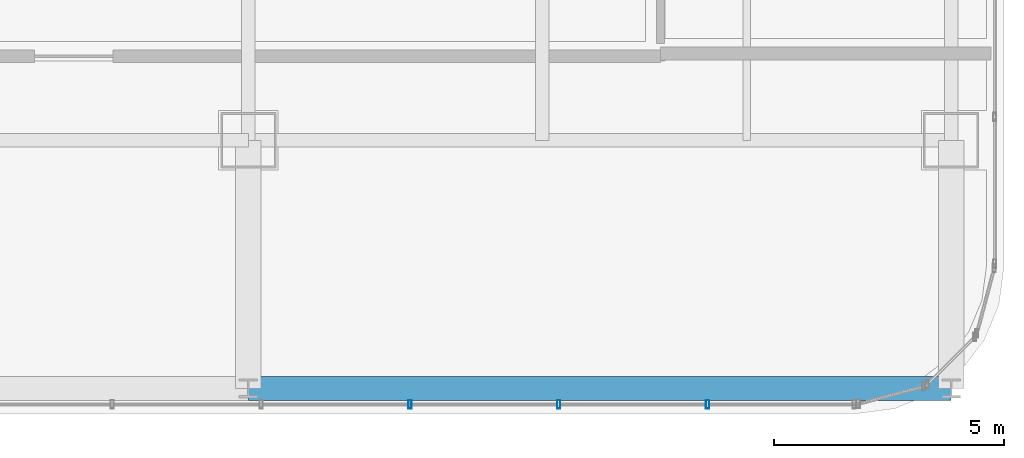
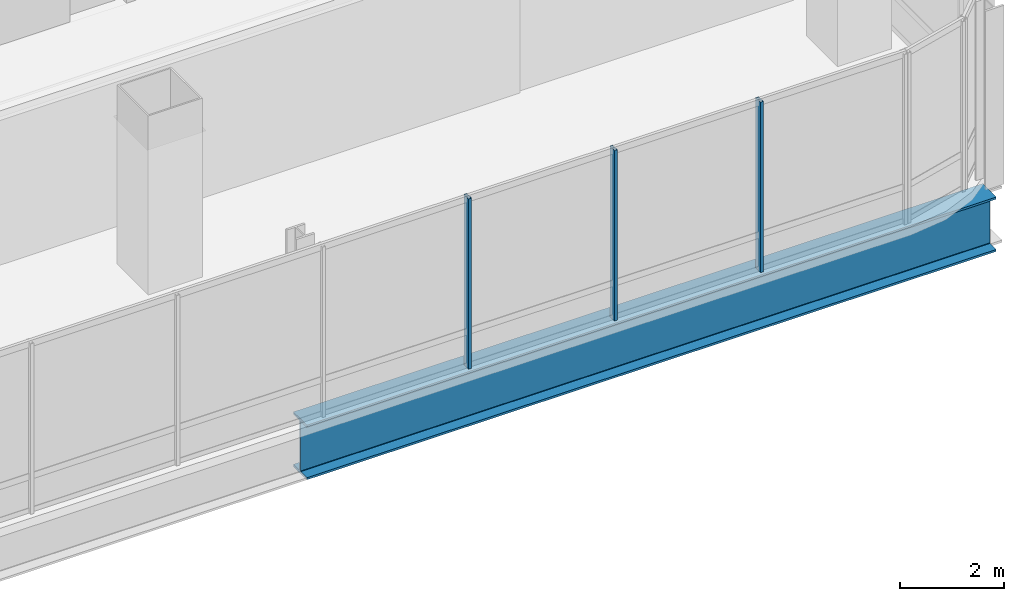
# One storey, part 16 of 42: 3 members, 1 beam, 1 element without a shape of its own.
"""IFC4 building model written with IfcOpenShell, lengths in metres."""

from ifc_helpers import new_model, si_unit, direction, frame, origin, origin_2d, place, context, subcontext, project, spatial, hollow_rectangle, i_section, extrude, material, material_profile, profile_set, type_object, element, aggregate, save


model = new_model("IFC4")

# Units and contexts
model_context = context("Model", 3, precision=1e-05, world=origin(), true_north=direction((0.0, 1.0)))
body_context = subcontext(model_context, "Body", "Model", "MODEL_VIEW")
ifc_project = project(units=[si_unit("LENGTHUNIT", "METRE"), si_unit("AREAUNIT", "SQUARE_METRE"), si_unit("VOLUMEUNIT", "CUBIC_METRE"), si_unit("PLANEANGLEUNIT", "RADIAN"), si_unit("MASSUNIT", "GRAM", prefix="KILO")], contexts=[model_context])

# Site, building, storey
site_placement = place(None, origin())
site = spatial("IfcSite", under=ifc_project, at=site_placement, CompositionType="ELEMENT")
building_placement = place(site_placement, origin())
building = spatial("IfcBuilding", under=site, at=building_placement, Name="Punatoya Terracotta Tower", CompositionType="ELEMENT")
storey_placement = place(building_placement, frame((0.0, 0.0, 325.800048828125)))
storey = spatial("IfcBuildingStorey", under=building, at=storey_placement, Name="L77", CompositionType="ELEMENT", Elevation=325.800048828125)

# Beam
ifc_material_1 = material(Name="Steel S460", Category="steel")
ifc_material_profile_1 = material_profile(ifc_material_1, i_section(OverallWidth=0.52001953125, OverallDepth=1.280029296875, WebThickness=0.031982421875, FlangeThickness=0.050048828125, FilletRadius=0.01806640625, at=origin_2d()))
ifc_profile_set_1 = profile_set([ifc_material_profile_1], Name="Steel S460")
beam_type = type_object("IfcBeamType", Name="BM-TG-NCK", PredefinedType="BEAM", material=ifc_profile_set_1)
beam_placement = place(storey_placement, frame((3.800048828125, -22.89990234375, -0.840087890625), z_axis=(1.0, 0.0, 0.0), x_axis=(0.0, 1.0, 0.0)))
element("IfcBeam", 1, at=beam_placement, inside=storey, type_object=beam_type, Name="BM-L77-PER-S3", PredefinedType="BEAM", context=body_context, shape_type="SweptSolid", body=[
    extrude(i_section(OverallWidth=0.52001953125, OverallDepth=1.280029296875, WebThickness=0.031982421875, FlangeThickness=0.050048828125, FilletRadius=0.01806640625, at=origin_2d()), origin(), (0.0, 0.0, 1.0), 15.300048828125),
])

# Curtain wall, members
ifc_material_2 = material(Name="Aluminium 6063-T6 + Double Low-E Glass", Category="aluminium")
curtain_wall_type = type_object("IfcCurtainWallType", Name="CW-OBS", PredefinedType="NOTDEFINED", material=ifc_material_2)
curtain_wall_placement = place(storey_placement, origin())
curtain_wall = element("IfcCurtainWall", 2, at=curtain_wall_placement, inside=storey, type_object=curtain_wall_type, Name="L77 Curtain Wall CW-L77-S01-1", PredefinedType="NOTDEFINED")
ifc_material_3 = material(Name="Aluminium 6063-T6", Category="aluminium")
ifc_material_profile_2 = material_profile(ifc_material_3, hollow_rectangle(XDim=0.070068359375, YDim=0.179931640625, WallThickness=0.00390625, at=origin_2d()))
ifc_profile_set_2 = profile_set([ifc_material_profile_2], Name="Aluminium 6063-T6")
member_type = type_object("IfcMemberType", Name="CW-MUL-M3", PredefinedType="MULLION", material=ifc_profile_set_2)
member_1_placement = place(storey_placement, frame((7.318359375, -23.25, 0.0), z_axis=(0.0, 0.0, 1.0), x_axis=(1.0, 0.0, 0.0)))
member_1 = element("IfcMember", 3, at=member_1_placement, type_object=member_type, Name="CW-L77-S01-1 Mullion 09", PredefinedType="MULLION", context=body_context, shape_type="SweptSolid", body=[
    extrude(hollow_rectangle(XDim=0.070068359375, YDim=0.179931640625, WallThickness=0.00390625, at=origin_2d()), origin(), (0.0, 0.0, 1.0), 4.0),
])
member_2_placement = place(storey_placement, frame((10.557861328125, -23.25, 0.0), z_axis=(0.0, 0.0, 1.0), x_axis=(1.0, 0.0, 0.0)))
member_2 = element("IfcMember", 4, at=member_2_placement, type_object=member_type, Name="CW-L77-S01-1 Mullion 10", PredefinedType="MULLION", context=body_context, shape_type="SweptSolid", body=[
    extrude(hollow_rectangle(XDim=0.070068359375, YDim=0.179931640625, WallThickness=0.00390625, at=origin_2d()), origin(), (0.0, 0.0, 1.0), 4.0),
])
member_3_placement = place(storey_placement, frame((13.79736328125, -23.25, 0.0), z_axis=(0.0, 0.0, 1.0), x_axis=(1.0, 0.0, 0.0)))
member_3 = element("IfcMember", 5, at=member_3_placement, type_object=member_type, Name="CW-L77-S01-1 Mullion 11", PredefinedType="MULLION", context=body_context, shape_type="SweptSolid", body=[
    extrude(hollow_rectangle(XDim=0.070068359375, YDim=0.179931640625, WallThickness=0.00390625, at=origin_2d()), origin(), (0.0, 0.0, 1.0), 4.0),
])
aggregate(curtain_wall, [member_1, member_2, member_3])

save(model, "model.ifc")
